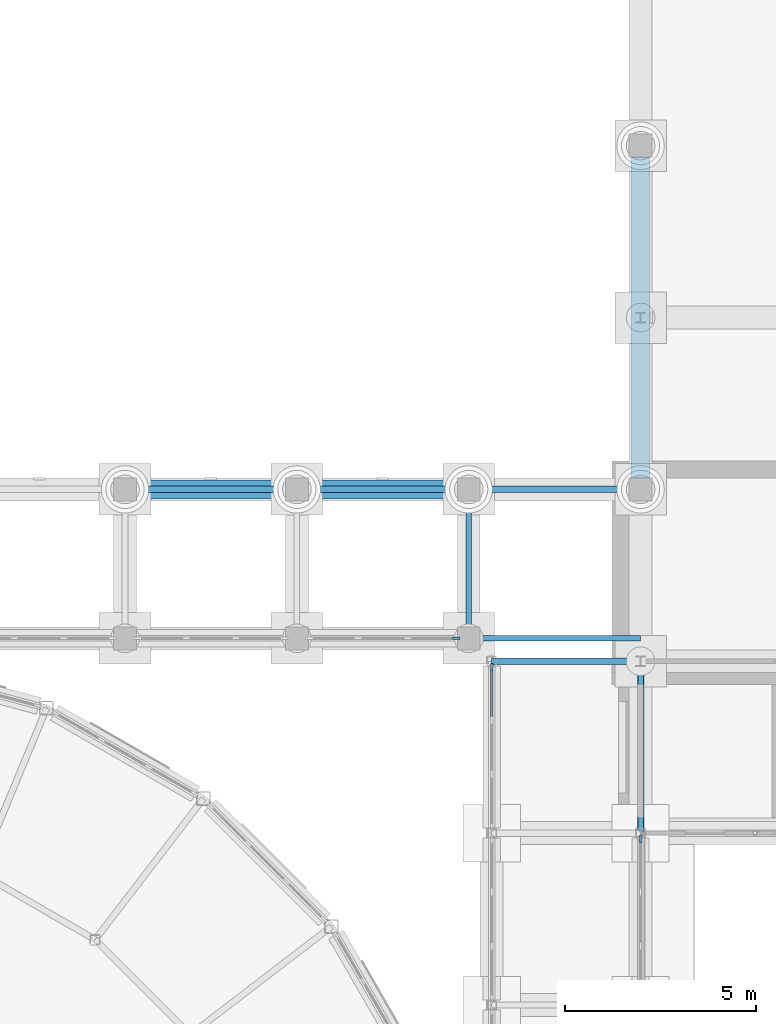
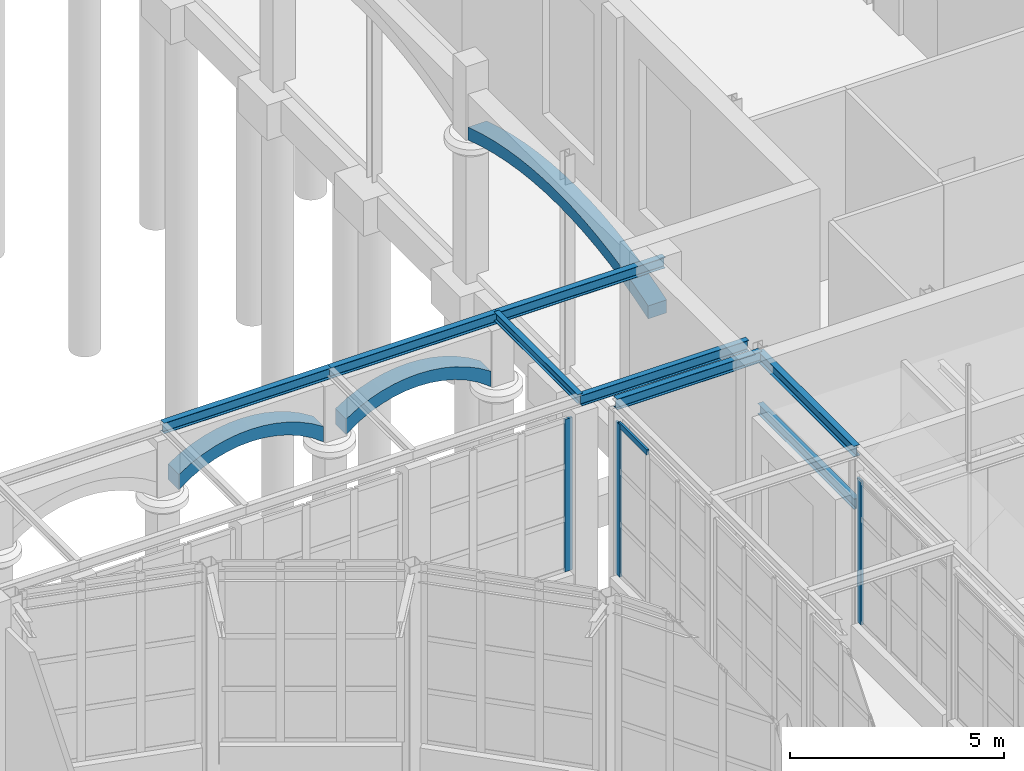
# One storey, part 49 of 106: 11 beams, 4 members, 3 elements without a shape of their own.
"""IFC4 building model written with IfcOpenShell, lengths in metres."""

from ifc_helpers import new_model, si_unit, direction, frame, origin, origin_2d, place, context, subcontext, project, spatial, polyline, rectangle, i_section, outline, extrude, material, layer, layer_set, material_profile, profile_set, type_object, element, aggregate, save


model = new_model("IFC4")

# Units and contexts
model_context = context("Model", 3, precision=1e-05, world=origin(), true_north=direction((0.0, 1.0)))
body_context = subcontext(model_context, "Body", "Model", "MODEL_VIEW")
ifc_project = project(units=[si_unit("LENGTHUNIT", "METRE"), si_unit("AREAUNIT", "SQUARE_METRE"), si_unit("VOLUMEUNIT", "CUBIC_METRE"), si_unit("PLANEANGLEUNIT", "RADIAN"), si_unit("MASSUNIT", "GRAM", prefix="KILO")], contexts=[model_context])

# Site, building, storey
site_placement = place(None, origin())
site = spatial("IfcSite", under=ifc_project, at=site_placement, CompositionType="ELEMENT")
building_placement = place(site_placement, origin())
building = spatial("IfcBuilding", under=site, at=building_placement, Name="Hortulan Conservatory and Botanical Research Centre", CompositionType="ELEMENT")
storey_placement = place(building_placement, origin())
storey = spatial("IfcBuildingStorey", under=building, at=storey_placement, Name="L00", CompositionType="ELEMENT", Elevation=0.0)

# Beams
ifc_material_1 = material(Name="Steel Grade 300PLUS (AS/NZS 3679.1, 280 MPa minimum yield)", Category="steel")
ifc_material_profile_1 = material_profile(ifc_material_1, i_section(OverallWidth=0.14599609375, OverallDepth=0.251953125, WebThickness=0.006103515625, FlangeThickness=0.008544921875, FilletRadius=0.0087890625, at=origin_2d()), Name="250UB31.4")
ifc_profile_set_1 = profile_set([ifc_material_profile_1], Name="Steel Grade 300PLUS (AS/NZS 3679.1, 280 MPa minimum yield)")
beam_type_1 = type_object("IfcBeamType", Name="Arcade Cross Beam 250UB31.4", PredefinedType="BEAM", material=ifc_profile_set_1)
beam_1_placement = place(storey_placement, frame((72.0, 36.60009765625, 5.674072265625), z_axis=(0.0, 1.0, 0.0), x_axis=(-1.0, 0.0, 0.0)))
element("IfcBeam", 1, at=beam_1_placement, inside=storey, type_object=beam_type_1, Name="Arcade cross beam 26", PredefinedType="BEAM", context=body_context, shape_type="SweptSolid", body=[
    extrude(i_section(OverallWidth=0.14599609375, OverallDepth=0.251953125, WebThickness=0.006103515625, FlangeThickness=0.008544921875, FilletRadius=0.0087890625, at=origin_2d()), origin(), (0.0, 0.0, 1.0), 3.89990234375),
])
ifc_material_profile_2 = material_profile(ifc_material_1, i_section(OverallWidth=0.1650390625, OverallDepth=0.303955078125, WebThickness=0.006103515625, FlangeThickness=0.01025390625, FilletRadius=0.011474609375, at=origin_2d()), Name="310UB40.4")
ifc_profile_set_2 = profile_set([ifc_material_profile_2], Name="Steel Grade 300PLUS (AS/NZS 3679.1, 280 MPa minimum yield)")
beam_type_2 = type_object("IfcBeamType", Name="Arcade Front Beam 310UB40.4", PredefinedType="BEAM", material=ifc_profile_set_2)
for number, where, z_axis, x_axis, name in (
    (2, (63.0, 40.5, 5.64794921875), (1.0, 0.0, 0.0), (0.0, 1.0, 0.0), "Arcade front beam 07"),
    (3, (67.5, 40.5, 5.64794921875), (1.0, 0.0, 0.0), (0.0, 1.0, 0.0), "Arcade front beam 08"),
    (4, (72.0, 40.5, 5.64794921875), (1.0, 0.0, 0.0), (0.0, 1.0, 0.0), "Arcade front beam 09"),
):
    element("IfcBeam", number, at=place(storey_placement, frame(where, z_axis=z_axis, x_axis=x_axis)), inside=storey, type_object=beam_type_2, Name=name, PredefinedType="BEAM", context=body_context, shape_type="SweptSolid", body=[
        extrude(i_section(OverallWidth=0.1650390625, OverallDepth=0.303955078125, WebThickness=0.006103515625, FlangeThickness=0.01025390625, FilletRadius=0.011474609375, at=origin_2d()), origin(), (0.0, 0.0, 1.0), 4.5),
    ])
ifc_material_profile_3 = material_profile(ifc_material_1, i_section(OverallWidth=0.14892578125, OverallDepth=0.298095703125, WebThickness=0.005615234375, FlangeThickness=0.008056640625, FilletRadius=0.012939453125, at=origin_2d()), Name="310UB32.0")
ifc_profile_set_3 = profile_set([ifc_material_profile_3], Name="Steel Grade 300PLUS (AS/NZS 3679.1, 280 MPa minimum yield)")
beam_type_3 = type_object("IfcBeamType", Name="Arcade Rear Beam 310UB32.0", PredefinedType="BEAM", material=ifc_profile_set_3)
beam_2_placement = place(storey_placement, frame((72.0, 36.60009765625, 5.65087890625), z_axis=(1.0, 0.0, 0.0), x_axis=(0.0, 1.0, 0.0)))
element("IfcBeam", 5, at=beam_2_placement, inside=storey, type_object=beam_type_3, Name="Arcade rear beam 18", PredefinedType="BEAM", context=body_context, shape_type="SweptSolid", body=[
    extrude(i_section(OverallWidth=0.14892578125, OverallDepth=0.298095703125, WebThickness=0.005615234375, FlangeThickness=0.008056640625, FilletRadius=0.012939453125, at=origin_2d()), origin(), (0.0, 0.0, 1.0), 4.5),
])

# Curtain wall, member
ifc_material_2 = material(Name="Bronze-finished aluminium", Category="aluminium")
ifc_layer_1 = layer(ifc_material_2, 0.10009765625)
ifc_layer_set_1 = layer_set([ifc_layer_1], Name="Bronze-framed Curtain Wall 1500 module")
curtain_wall_type = type_object("IfcCurtainWallType", Name="Bronze-framed Curtain Wall 1500 module", PredefinedType="NOTDEFINED", material=ifc_layer_set_1)
curtain_wall_1_placement = place(storey_placement, origin())
curtain_wall_1 = element("IfcCurtainWall", 6, at=curtain_wall_1_placement, inside=storey, type_object=curtain_wall_type, Name="Curtain wall", PredefinedType="NOTDEFINED")
ifc_material_profile_4 = material_profile(ifc_material_2, rectangle(XDim=0.06005859375, YDim=0.199951171875, at=origin_2d()), Name="Bronze Mullion 60x200")
ifc_profile_set_4 = profile_set([ifc_material_profile_4], Name="Bronze-finished aluminium")
member_type_1 = type_object("IfcMemberType", Name="Bronze Mullion 60x200", PredefinedType="MULLION", material=ifc_profile_set_4)
member_1_placement = place(storey_placement, frame((72.60009765625, 35.844970703125, 0.89990234375), z_axis=(0.0, 0.0, 1.0), x_axis=(-1.0, 0.0, 0.0)))
member_1 = element("IfcMember", 7, at=member_1_placement, type_object=member_type_1, Name="CW1 mullion 4", PredefinedType="MULLION", context=body_context, shape_type="SweptSolid", body=[
    extrude(rectangle(XDim=0.06005859375, YDim=0.199951171875, at=origin_2d()), origin(), (0.0, 0.0, 1.0), 4.340087890625),
])

curtain_wall_2_placement = place(storey_placement, origin())
curtain_wall_2 = element("IfcCurtainWall", 8, at=curtain_wall_2_placement, inside=storey, type_object=curtain_wall_type, Name="Curtain wall", PredefinedType="NOTDEFINED")
member_2_placement = place(storey_placement, frame((71.669921875, 36.60009765625, 0.89990234375), z_axis=(0.0, 0.0, 1.0), x_axis=(0.0, 1.0, 0.0)))
member_2 = element("IfcMember", 9, at=member_2_placement, type_object=member_type_1, Name="CW1 mullion 4", PredefinedType="MULLION", context=body_context, shape_type="SweptSolid", body=[
    extrude(rectangle(XDim=0.06005859375, YDim=0.199951171875, at=origin_2d()), origin(), (0.0, 0.0, 1.0), 4.340087890625),
])
aggregate(curtain_wall_2, [member_2])

curtain_wall_3_placement = place(storey_placement, origin())
curtain_wall_3 = element("IfcCurtainWall", 10, at=curtain_wall_3_placement, inside=storey, type_object=curtain_wall_type, Name="Curtain wall", PredefinedType="NOTDEFINED")
member_3_placement = place(storey_placement, frame((76.5, 31.344970703125, 0.89990234375), z_axis=(0.0, 0.0, 1.0), x_axis=(1.0, 0.0, 0.0)))
member_3 = element("IfcMember", 11, at=member_3_placement, type_object=member_type_1, Name="CW1 mullion 1", PredefinedType="MULLION", context=body_context, shape_type="SweptSolid", body=[
    extrude(rectangle(XDim=0.06005859375, YDim=0.199951171875, at=origin_2d()), origin(), (0.0, 0.0, 1.0), 4.10009765625),
])
aggregate(curtain_wall_3, [member_3])

# Member
ifc_material_profile_5 = material_profile(ifc_material_2, rectangle(XDim=0.06005859375, YDim=0.14990234375, at=origin_2d()), Name="Bronze Transom 60x150")
ifc_profile_set_5 = profile_set([ifc_material_profile_5], Name="Bronze-finished aluminium")
member_type_2 = type_object("IfcMemberType", Name="Bronze Transom 60x150", PredefinedType="USERDEFINED", material=ifc_profile_set_5)
member_4_placement = place(storey_placement, frame((72.60009765625, 34.48828125, 5.2099609375), z_axis=(0.0, 1.0, 0.0), x_axis=(-1.0, 0.0, 0.0)))
member_4 = element("IfcMember", 12, at=member_4_placement, type_object=member_type_2, Name="CW1 transom 3.4", ObjectType="TRANSOM", PredefinedType="USERDEFINED", context=body_context, shape_type="SweptSolid", body=[
    extrude(rectangle(XDim=0.06005859375, YDim=0.14990234375, at=origin_2d()), origin(), (0.0, 0.0, 1.0), 1.32666015625),
])

aggregate(curtain_wall_1, [member_1, member_4])

# Beams
ifc_material_profile_6 = material_profile(ifc_material_1, i_section(OverallWidth=0.14892578125, OverallDepth=0.298095703125, WebThickness=0.005615234375, FlangeThickness=0.008056640625, FilletRadius=0.012939453125, at=origin_2d()), Name="310UB32.0")
ifc_profile_set_6 = profile_set([ifc_material_profile_6], Name="Steel Grade 300PLUS (AS/NZS 3679.1, 280 MPa minimum yield)")
beam_type_4 = type_object("IfcBeamType", Name="Gardeners Block Primary Beam 310UB32.0", PredefinedType="BEAM", material=ifc_profile_set_6)
beam_3_placement = place(storey_placement, frame((76.5, 31.5, 4.200927734375), z_axis=(0.0, 1.0, 0.0), x_axis=(-1.0, 0.0, 0.0)))
element("IfcBeam", 13, at=beam_3_placement, inside=storey, type_object=beam_type_4, Name="Gardeners block primary beam 1", PredefinedType="BEAM", context=body_context, shape_type="SweptSolid", body=[
    extrude(i_section(OverallWidth=0.14892578125, OverallDepth=0.298095703125, WebThickness=0.005615234375, FlangeThickness=0.008056640625, FilletRadius=0.012939453125, at=origin_2d()), origin(), (0.0, 0.0, 1.0), 4.5),
])
ifc_material_profile_7 = material_profile(ifc_material_1, i_section(OverallWidth=0.1650390625, OverallDepth=0.303955078125, WebThickness=0.006103515625, FlangeThickness=0.01025390625, FilletRadius=0.011474609375, at=origin_2d()), Name="310UB40.4")
ifc_profile_set_7 = profile_set([ifc_material_profile_7], Name="Steel Grade 300PLUS (AS/NZS 3679.1, 280 MPa minimum yield)")
beam_type_5 = type_object("IfcBeamType", Name="Head Link Beam 310UB40.4", PredefinedType="BEAM", material=ifc_profile_set_7)
beam_4_placement = place(storey_placement, frame((76.5, 31.5, 5.697998046875), z_axis=(0.0, 1.0, 0.0), x_axis=(-1.0, 0.0, 0.0)))
element("IfcBeam", 14, at=beam_4_placement, inside=storey, type_object=beam_type_5, Name="HE passage beam 6", PredefinedType="BEAM", context=body_context, shape_type="SweptSolid", body=[
    extrude(i_section(OverallWidth=0.1650390625, OverallDepth=0.303955078125, WebThickness=0.006103515625, FlangeThickness=0.01025390625, FilletRadius=0.011474609375, at=origin_2d()), origin(), (0.0, 0.0, 1.0), 4.5),
])
beam_5_placement = place(storey_placement, frame((72.60009765625, 36.0, 5.697998046875), z_axis=(1.0, 0.0, 0.0), x_axis=(0.0, 1.0, 0.0)))
element("IfcBeam", 15, at=beam_5_placement, inside=storey, type_object=beam_type_5, Name="HE passage beam 9", PredefinedType="BEAM", context=body_context, shape_type="SweptSolid", body=[
    extrude(i_section(OverallWidth=0.1650390625, OverallDepth=0.303955078125, WebThickness=0.006103515625, FlangeThickness=0.01025390625, FilletRadius=0.011474609375, at=origin_2d()), origin(), (0.0, 0.0, 1.0), 3.89990234375),
])
ifc_material_3 = material(Name="Sandstone masonry (Hawkesbury yellow block)", Category="masonry")
ifc_layer_2 = layer(ifc_material_3, 0.5)
ifc_layer_set_2 = layer_set([ifc_layer_2], Name="Sandstone Arch Ring 500")
beam_type_6 = type_object("IfcBeamType", Name="Sandstone Arch Ring 500", PredefinedType="BEAM", material=ifc_layer_set_2)
for number, where, z_axis, x_axis, name in (
    (16, (63.300048828125, 40.5, 3.89990234375), (0.0, 0.0, 1.0), (1.0, 0.0, 0.0), "Arch ring"),
    (17, (67.800048828125, 40.5, 3.89990234375), (0.0, 0.0, 1.0), (1.0, 0.0, 0.0), "Arch ring"),
):
    element("IfcBeam", number, at=place(storey_placement, frame(where, z_axis=z_axis, x_axis=x_axis)), inside=storey, type_object=beam_type_6, Name=name, PredefinedType="BEAM", context=body_context, shape_type="SweptSolid", body=[
        extrude(outline(polyline([(0.0, 0.0), (0.324951171875, 0.234130859375), (0.64990234375, 0.410888671875), (0.97509765625, 0.541015625), (1.300048828125, 0.63037109375), (1.625, 0.682861328125), (1.949951171875, 0.7001953125), (2.27490234375, 0.682861328125), (2.60009765625, 0.63037109375), (2.925048828125, 0.541015625), (3.25, 0.410888671875), (3.574951171875, 0.234130859375), (3.89990234375, 0.0), (3.89990234375, 0.43896484375), (3.574951171875, 0.638916015625), (3.25, 0.793212890625), (2.925048828125, 0.907958984375), (2.60009765625, 0.98779296875), (2.27490234375, 1.03466796875), (1.949951171875, 1.050048828125), (1.625, 1.03466796875), (1.300048828125, 0.98779296875), (0.97509765625, 0.907958984375), (0.64990234375, 0.793212890625), (0.324951171875, 0.638916015625), (0.0, 0.43896484375), (0.0, 0.0)])), frame((0.0, 0.25, 0.0), z_axis=(0.0, -1.0, 0.0), x_axis=(1.0, 0.0, 0.0)), (0.0, 0.0, 1.0), 0.5),
    ])
beam_6_placement = place(storey_placement, frame((76.5, 40.800048828125, 3.89990234375), z_axis=(0.0, 0.0, 1.0), x_axis=(0.0, 1.0, 0.0)))
element("IfcBeam", 18, at=beam_6_placement, inside=storey, type_object=beam_type_6, Name="Arch ring", PredefinedType="BEAM", context=body_context, shape_type="SweptSolid", body=[
    extrude(outline(polyline([(0.0, 0.0), (0.60009765625, 0.189697265625), (1.199951171875, 0.347900390625), (1.800048828125, 0.475830078125), (2.39990234375, 0.574462890625), (3.0, 0.644287109375), (3.60009765625, 0.686279296875), (4.199951171875, 0.7001953125), (4.800048828125, 0.686279296875), (5.39990234375, 0.644287109375), (6.0, 0.574462890625), (6.60009765625, 0.475830078125), (7.199951171875, 0.347900390625), (7.800048828125, 0.189697265625), (8.39990234375, 0.0), (8.39990234375, 0.369384765625), (7.800048828125, 0.5537109375), (7.199951171875, 0.707275390625), (6.60009765625, 0.831787109375), (6.0, 0.927734375), (5.39990234375, 0.995849609375), (4.800048828125, 1.03662109375), (4.199951171875, 1.050048828125), (3.60009765625, 1.03662109375), (3.0, 0.995849609375), (2.39990234375, 0.927734375), (1.800048828125, 0.831787109375), (1.199951171875, 0.707275390625), (0.60009765625, 0.5537109375), (0.0, 0.369384765625), (0.0, 0.0)])), frame((0.0, 0.25, 0.0), z_axis=(0.0, -1.0, 0.0), x_axis=(1.0, 0.0, 0.0)), (0.0, 0.0, 1.0), 0.5),
])

save(model, "model.ifc")
